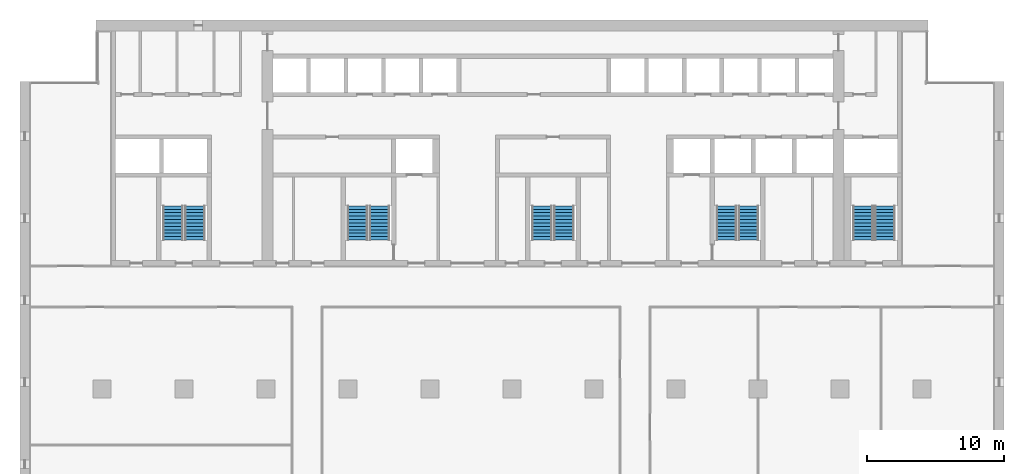
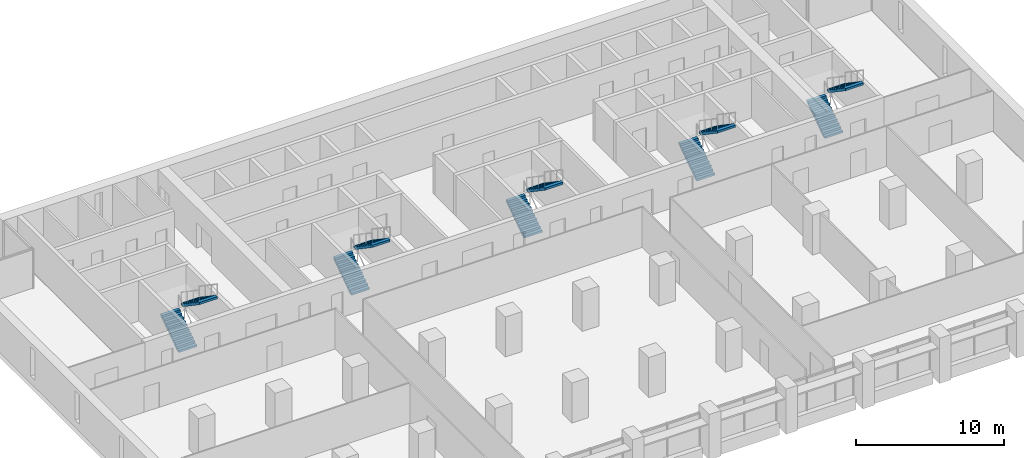
# One storey, part 12 of 15: 10 stair flights, 5 elements without a shape of their own.
"""IFC4 building model written with IfcOpenShell, lengths in metres."""

from ifc_helpers import new_model, si_unit, direction, frame, origin, place, context, subcontext, project, spatial, polyline, outline, extrude, material, type_object, element, aggregate, save


model = new_model("IFC4")

# Units and contexts
model_context = context("Model", 3, precision=1e-05, world=origin(), true_north=direction((0.0, 1.0)))
body_context = subcontext(model_context, "Body", "Model", "MODEL_VIEW")
ifc_project = project(units=[si_unit("LENGTHUNIT", "METRE"), si_unit("AREAUNIT", "SQUARE_METRE"), si_unit("VOLUMEUNIT", "CUBIC_METRE"), si_unit("PLANEANGLEUNIT", "RADIAN"), si_unit("MASSUNIT", "GRAM", prefix="KILO")], contexts=[model_context])

# Site, building, storey
site_placement = place(None, origin())
site = spatial("IfcSite", under=ifc_project, at=site_placement, CompositionType="ELEMENT")
building_placement = place(site_placement, origin())
building = spatial("IfcBuilding", under=site, at=building_placement, Name="Calvaro Tower", CompositionType="ELEMENT")
storey_placement = place(building_placement, frame((0.0, 0.0, 128.75)))
storey = spatial("IfcBuildingStorey", under=building, at=storey_placement, Name="L32", CompositionType="ELEMENT", Elevation=128.75)

# Stair, stair flights
ifc_material_1 = material(Name="Concrete C40/50", Category="concrete")
stair_type = type_object("IfcStairType", Name="Exit stair 1400 2 flights", PredefinedType="HALF_TURN_STAIR", material=ifc_material_1)
stair_1_placement = place(storey_placement, origin())
stair_1 = element("IfcStair", 1, at=stair_1_placement, inside=storey, type_object=stair_type, Name="Exit stair S1", PredefinedType="HALF_TURN_STAIR")
ifc_material_2 = material(Name="Concrete C40/50", Category="concrete")
stair_flight_type = type_object("IfcStairFlightType", Name="Stair flight", PredefinedType="STRAIGHT", material=ifc_material_2)
stair_flight_1_placement = place(storey_placement, frame((11.199951171875, 29.89990234375, 0.0), z_axis=(0.0, 0.0, 1.0), x_axis=(0.0, 1.0, 0.0)))
stair_flight_1 = element("IfcStairFlight", 2, at=stair_flight_1_placement, type_object=stair_flight_type, Name="Exit stair 1, flight 1", NumberOfRisers=11, NumberOfTreads=10, PredefinedType="STRAIGHT", RiserHeight=0.170454545, TreadLength=0.25, context=body_context, shape_type="SweptSolid", body=[
    extrude(outline(polyline([(0.0, 0.0), (0.0, 0.17041015625), (0.25, 0.17041015625), (0.25, 0.3408203125), (0.5, 0.3408203125), (0.5, 0.511474609375), (0.75, 0.511474609375), (0.75, 0.681884765625), (1.0, 0.681884765625), (1.0, 0.852294921875), (1.25, 0.852294921875), (1.25, 1.022705078125), (1.5, 1.022705078125), (1.5, 1.193115234375), (1.75, 1.193115234375), (1.75, 1.363525390625), (2.0, 1.363525390625), (2.0, 1.5341796875), (2.25, 1.5341796875), (2.25, 1.70458984375), (2.5, 1.70458984375), (2.5, 1.875), (2.5, 1.523193359375), (0.26611328125, 0.0), (0.0, 0.0)])), frame((0.0, 0.699951171875, 0.0), z_axis=(0.0, -1.0, 0.0), x_axis=(1.0, 0.0, 0.0)), (0.0, 0.0, 1.0), 1.39990234375),
])
stair_flight_2_placement = place(storey_placement, frame((12.800048828125, 32.39990234375, 1.875), z_axis=(0.0, 0.0, 1.0), x_axis=(0.0, -1.0, 0.0)))
stair_flight_2 = element("IfcStairFlight", 3, at=stair_flight_2_placement, type_object=stair_flight_type, Name="Exit stair 1, flight 2", NumberOfRisers=11, NumberOfTreads=10, PredefinedType="STRAIGHT", RiserHeight=0.170454545, TreadLength=0.25, context=body_context, shape_type="SweptSolid", body=[
    extrude(outline(polyline([(0.0, 0.0), (0.0, 0.17041015625), (0.25, 0.17041015625), (0.25, 0.3408203125), (0.5, 0.3408203125), (0.5, 0.511474609375), (0.75, 0.511474609375), (0.75, 0.681884765625), (1.0, 0.681884765625), (1.0, 0.852294921875), (1.25, 0.852294921875), (1.25, 1.022705078125), (1.5, 1.022705078125), (1.5, 1.193115234375), (1.75, 1.193115234375), (1.75, 1.363525390625), (2.0, 1.363525390625), (2.0, 1.5341796875), (2.25, 1.5341796875), (2.25, 1.70458984375), (2.5, 1.70458984375), (2.5, 1.875), (2.5, 1.523193359375), (0.26611328125, 0.0), (0.0, 0.0)])), frame((0.0, 0.699951171875, 0.0), z_axis=(0.0, -1.0, 0.0), x_axis=(1.0, 0.0, 0.0)), (0.0, 0.0, 1.0), 1.39990234375),
])
aggregate(stair_1, [stair_flight_1, stair_flight_2])

stair_2_placement = place(storey_placement, origin())
stair_2 = element("IfcStair", 4, at=stair_2_placement, inside=storey, type_object=stair_type, Name="Exit stair S2", PredefinedType="HALF_TURN_STAIR")
stair_flight_3_placement = place(storey_placement, frame((24.699951171875, 29.89990234375, 0.0), z_axis=(0.0, 0.0, 1.0), x_axis=(0.0, 1.0, 0.0)))
stair_flight_3 = element("IfcStairFlight", 5, at=stair_flight_3_placement, type_object=stair_flight_type, Name="Exit stair 2, flight 1", NumberOfRisers=11, NumberOfTreads=10, PredefinedType="STRAIGHT", RiserHeight=0.170454545, TreadLength=0.25, context=body_context, shape_type="SweptSolid", body=[
    extrude(outline(polyline([(0.0, 0.0), (0.0, 0.17041015625), (0.25, 0.17041015625), (0.25, 0.3408203125), (0.5, 0.3408203125), (0.5, 0.511474609375), (0.75, 0.511474609375), (0.75, 0.681884765625), (1.0, 0.681884765625), (1.0, 0.852294921875), (1.25, 0.852294921875), (1.25, 1.022705078125), (1.5, 1.022705078125), (1.5, 1.193115234375), (1.75, 1.193115234375), (1.75, 1.363525390625), (2.0, 1.363525390625), (2.0, 1.5341796875), (2.25, 1.5341796875), (2.25, 1.70458984375), (2.5, 1.70458984375), (2.5, 1.875), (2.5, 1.523193359375), (0.26611328125, 0.0), (0.0, 0.0)])), frame((0.0, 0.699951171875, 0.0), z_axis=(0.0, -1.0, 0.0), x_axis=(1.0, 0.0, 0.0)), (0.0, 0.0, 1.0), 1.39990234375),
])
stair_flight_4_placement = place(storey_placement, frame((26.300048828125, 32.39990234375, 1.875), z_axis=(0.0, 0.0, 1.0), x_axis=(0.0, -1.0, 0.0)))
stair_flight_4 = element("IfcStairFlight", 6, at=stair_flight_4_placement, type_object=stair_flight_type, Name="Exit stair 2, flight 2", NumberOfRisers=11, NumberOfTreads=10, PredefinedType="STRAIGHT", RiserHeight=0.170454545, TreadLength=0.25, context=body_context, shape_type="SweptSolid", body=[
    extrude(outline(polyline([(0.0, 0.0), (0.0, 0.17041015625), (0.25, 0.17041015625), (0.25, 0.3408203125), (0.5, 0.3408203125), (0.5, 0.511474609375), (0.75, 0.511474609375), (0.75, 0.681884765625), (1.0, 0.681884765625), (1.0, 0.852294921875), (1.25, 0.852294921875), (1.25, 1.022705078125), (1.5, 1.022705078125), (1.5, 1.193115234375), (1.75, 1.193115234375), (1.75, 1.363525390625), (2.0, 1.363525390625), (2.0, 1.5341796875), (2.25, 1.5341796875), (2.25, 1.70458984375), (2.5, 1.70458984375), (2.5, 1.875), (2.5, 1.523193359375), (0.26611328125, 0.0), (0.0, 0.0)])), frame((0.0, 0.699951171875, 0.0), z_axis=(0.0, -1.0, 0.0), x_axis=(1.0, 0.0, 0.0)), (0.0, 0.0, 1.0), 1.39990234375),
])
aggregate(stair_2, [stair_flight_3, stair_flight_4])

stair_3_placement = place(storey_placement, origin())
stair_3 = element("IfcStair", 7, at=stair_3_placement, inside=storey, type_object=stair_type, Name="Exit stair S3", PredefinedType="HALF_TURN_STAIR")
stair_flight_5_placement = place(storey_placement, frame((38.199951171875, 29.89990234375, 0.0), z_axis=(0.0, 0.0, 1.0), x_axis=(0.0, 1.0, 0.0)))
stair_flight_5 = element("IfcStairFlight", 8, at=stair_flight_5_placement, type_object=stair_flight_type, Name="Exit stair 3, flight 1", NumberOfRisers=11, NumberOfTreads=10, PredefinedType="STRAIGHT", RiserHeight=0.170454545, TreadLength=0.25, context=body_context, shape_type="SweptSolid", body=[
    extrude(outline(polyline([(0.0, 0.0), (0.0, 0.17041015625), (0.25, 0.17041015625), (0.25, 0.3408203125), (0.5, 0.3408203125), (0.5, 0.511474609375), (0.75, 0.511474609375), (0.75, 0.681884765625), (1.0, 0.681884765625), (1.0, 0.852294921875), (1.25, 0.852294921875), (1.25, 1.022705078125), (1.5, 1.022705078125), (1.5, 1.193115234375), (1.75, 1.193115234375), (1.75, 1.363525390625), (2.0, 1.363525390625), (2.0, 1.5341796875), (2.25, 1.5341796875), (2.25, 1.70458984375), (2.5, 1.70458984375), (2.5, 1.875), (2.5, 1.523193359375), (0.26611328125, 0.0), (0.0, 0.0)])), frame((0.0, 0.699951171875, 0.0), z_axis=(0.0, -1.0, 0.0), x_axis=(1.0, 0.0, 0.0)), (0.0, 0.0, 1.0), 1.39990234375),
])
stair_flight_6_placement = place(storey_placement, frame((39.800048828125, 32.39990234375, 1.875), z_axis=(0.0, 0.0, 1.0), x_axis=(0.0, -1.0, 0.0)))
stair_flight_6 = element("IfcStairFlight", 9, at=stair_flight_6_placement, type_object=stair_flight_type, Name="Exit stair 3, flight 2", NumberOfRisers=11, NumberOfTreads=10, PredefinedType="STRAIGHT", RiserHeight=0.170454545, TreadLength=0.25, context=body_context, shape_type="SweptSolid", body=[
    extrude(outline(polyline([(0.0, 0.0), (0.0, 0.17041015625), (0.25, 0.17041015625), (0.25, 0.3408203125), (0.5, 0.3408203125), (0.5, 0.511474609375), (0.75, 0.511474609375), (0.75, 0.681884765625), (1.0, 0.681884765625), (1.0, 0.852294921875), (1.25, 0.852294921875), (1.25, 1.022705078125), (1.5, 1.022705078125), (1.5, 1.193115234375), (1.75, 1.193115234375), (1.75, 1.363525390625), (2.0, 1.363525390625), (2.0, 1.5341796875), (2.25, 1.5341796875), (2.25, 1.70458984375), (2.5, 1.70458984375), (2.5, 1.875), (2.5, 1.523193359375), (0.26611328125, 0.0), (0.0, 0.0)])), frame((0.0, 0.699951171875, 0.0), z_axis=(0.0, -1.0, 0.0), x_axis=(1.0, 0.0, 0.0)), (0.0, 0.0, 1.0), 1.39990234375),
])
aggregate(stair_3, [stair_flight_5, stair_flight_6])

stair_4_placement = place(storey_placement, origin())
stair_4 = element("IfcStair", 10, at=stair_4_placement, inside=storey, type_object=stair_type, Name="Exit stair S4", PredefinedType="HALF_TURN_STAIR")
stair_flight_7_placement = place(storey_placement, frame((51.699951171875, 29.89990234375, 0.0), z_axis=(0.0, 0.0, 1.0), x_axis=(0.0, 1.0, 0.0)))
stair_flight_7 = element("IfcStairFlight", 11, at=stair_flight_7_placement, type_object=stair_flight_type, Name="Exit stair 4, flight 1", NumberOfRisers=11, NumberOfTreads=10, PredefinedType="STRAIGHT", RiserHeight=0.170454545, TreadLength=0.25, context=body_context, shape_type="SweptSolid", body=[
    extrude(outline(polyline([(0.0, 0.0), (0.0, 0.17041015625), (0.25, 0.17041015625), (0.25, 0.3408203125), (0.5, 0.3408203125), (0.5, 0.511474609375), (0.75, 0.511474609375), (0.75, 0.681884765625), (1.0, 0.681884765625), (1.0, 0.852294921875), (1.25, 0.852294921875), (1.25, 1.022705078125), (1.5, 1.022705078125), (1.5, 1.193115234375), (1.75, 1.193115234375), (1.75, 1.363525390625), (2.0, 1.363525390625), (2.0, 1.5341796875), (2.25, 1.5341796875), (2.25, 1.70458984375), (2.5, 1.70458984375), (2.5, 1.875), (2.5, 1.523193359375), (0.26611328125, 0.0), (0.0, 0.0)])), frame((0.0, 0.699951171875, 0.0), z_axis=(0.0, -1.0, 0.0), x_axis=(1.0, 0.0, 0.0)), (0.0, 0.0, 1.0), 1.39990234375),
])
stair_flight_8_placement = place(storey_placement, frame((53.300048828125, 32.39990234375, 1.875), z_axis=(0.0, 0.0, 1.0), x_axis=(0.0, -1.0, 0.0)))
stair_flight_8 = element("IfcStairFlight", 12, at=stair_flight_8_placement, type_object=stair_flight_type, Name="Exit stair 4, flight 2", NumberOfRisers=11, NumberOfTreads=10, PredefinedType="STRAIGHT", RiserHeight=0.170454545, TreadLength=0.25, context=body_context, shape_type="SweptSolid", body=[
    extrude(outline(polyline([(0.0, 0.0), (0.0, 0.17041015625), (0.25, 0.17041015625), (0.25, 0.3408203125), (0.5, 0.3408203125), (0.5, 0.511474609375), (0.75, 0.511474609375), (0.75, 0.681884765625), (1.0, 0.681884765625), (1.0, 0.852294921875), (1.25, 0.852294921875), (1.25, 1.022705078125), (1.5, 1.022705078125), (1.5, 1.193115234375), (1.75, 1.193115234375), (1.75, 1.363525390625), (2.0, 1.363525390625), (2.0, 1.5341796875), (2.25, 1.5341796875), (2.25, 1.70458984375), (2.5, 1.70458984375), (2.5, 1.875), (2.5, 1.523193359375), (0.26611328125, 0.0), (0.0, 0.0)])), frame((0.0, 0.699951171875, 0.0), z_axis=(0.0, -1.0, 0.0), x_axis=(1.0, 0.0, 0.0)), (0.0, 0.0, 1.0), 1.39990234375),
])
aggregate(stair_4, [stair_flight_7, stair_flight_8])

stair_5_placement = place(storey_placement, origin())
stair_5 = element("IfcStair", 13, at=stair_5_placement, inside=storey, type_object=stair_type, Name="Exit stair S5", PredefinedType="HALF_TURN_STAIR")
stair_flight_9_placement = place(storey_placement, frame((61.699951171875, 29.89990234375, 0.0), z_axis=(0.0, 0.0, 1.0), x_axis=(0.0, 1.0, 0.0)))
stair_flight_9 = element("IfcStairFlight", 14, at=stair_flight_9_placement, type_object=stair_flight_type, Name="Exit stair 5, flight 1", NumberOfRisers=11, NumberOfTreads=10, PredefinedType="STRAIGHT", RiserHeight=0.170454545, TreadLength=0.25, context=body_context, shape_type="SweptSolid", body=[
    extrude(outline(polyline([(0.0, 0.0), (0.0, 0.17041015625), (0.25, 0.17041015625), (0.25, 0.3408203125), (0.5, 0.3408203125), (0.5, 0.511474609375), (0.75, 0.511474609375), (0.75, 0.681884765625), (1.0, 0.681884765625), (1.0, 0.852294921875), (1.25, 0.852294921875), (1.25, 1.022705078125), (1.5, 1.022705078125), (1.5, 1.193115234375), (1.75, 1.193115234375), (1.75, 1.363525390625), (2.0, 1.363525390625), (2.0, 1.5341796875), (2.25, 1.5341796875), (2.25, 1.70458984375), (2.5, 1.70458984375), (2.5, 1.875), (2.5, 1.523193359375), (0.26611328125, 0.0), (0.0, 0.0)])), frame((0.0, 0.699951171875, 0.0), z_axis=(0.0, -1.0, 0.0), x_axis=(1.0, 0.0, 0.0)), (0.0, 0.0, 1.0), 1.39990234375),
])
stair_flight_10_placement = place(storey_placement, frame((63.300048828125, 32.39990234375, 1.875), z_axis=(0.0, 0.0, 1.0), x_axis=(0.0, -1.0, 0.0)))
stair_flight_10 = element("IfcStairFlight", 15, at=stair_flight_10_placement, type_object=stair_flight_type, Name="Exit stair 5, flight 2", NumberOfRisers=11, NumberOfTreads=10, PredefinedType="STRAIGHT", RiserHeight=0.170454545, TreadLength=0.25, context=body_context, shape_type="SweptSolid", body=[
    extrude(outline(polyline([(0.0, 0.0), (0.0, 0.17041015625), (0.25, 0.17041015625), (0.25, 0.3408203125), (0.5, 0.3408203125), (0.5, 0.511474609375), (0.75, 0.511474609375), (0.75, 0.681884765625), (1.0, 0.681884765625), (1.0, 0.852294921875), (1.25, 0.852294921875), (1.25, 1.022705078125), (1.5, 1.022705078125), (1.5, 1.193115234375), (1.75, 1.193115234375), (1.75, 1.363525390625), (2.0, 1.363525390625), (2.0, 1.5341796875), (2.25, 1.5341796875), (2.25, 1.70458984375), (2.5, 1.70458984375), (2.5, 1.875), (2.5, 1.523193359375), (0.26611328125, 0.0), (0.0, 0.0)])), frame((0.0, 0.699951171875, 0.0), z_axis=(0.0, -1.0, 0.0), x_axis=(1.0, 0.0, 0.0)), (0.0, 0.0, 1.0), 1.39990234375),
])
aggregate(stair_5, [stair_flight_9, stair_flight_10])

save(model, "model.ifc")
